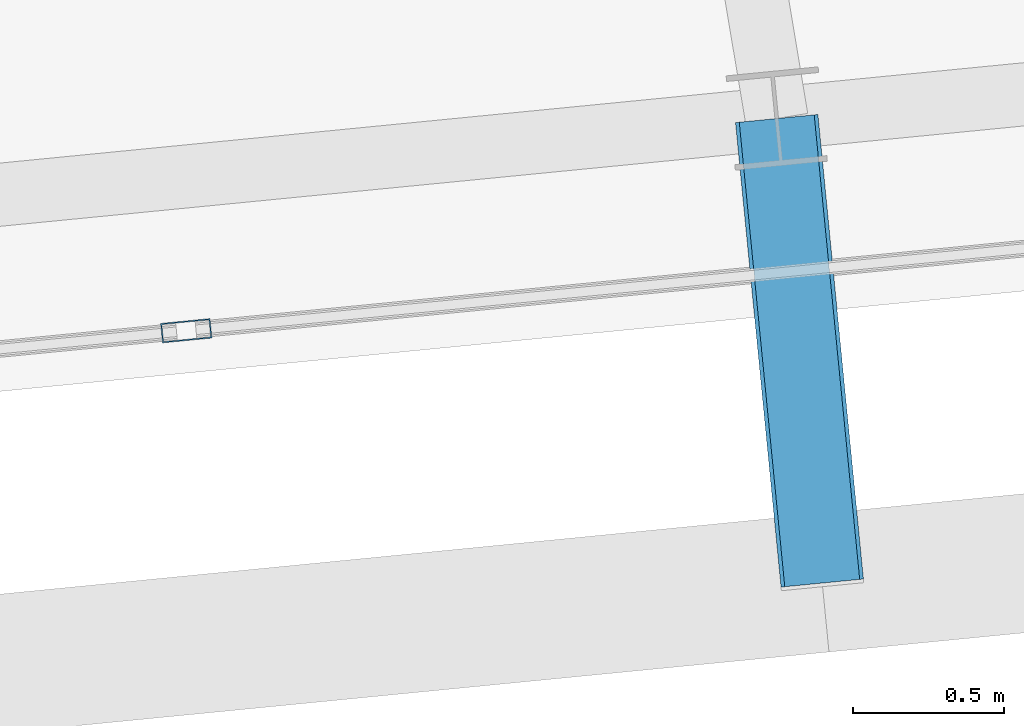
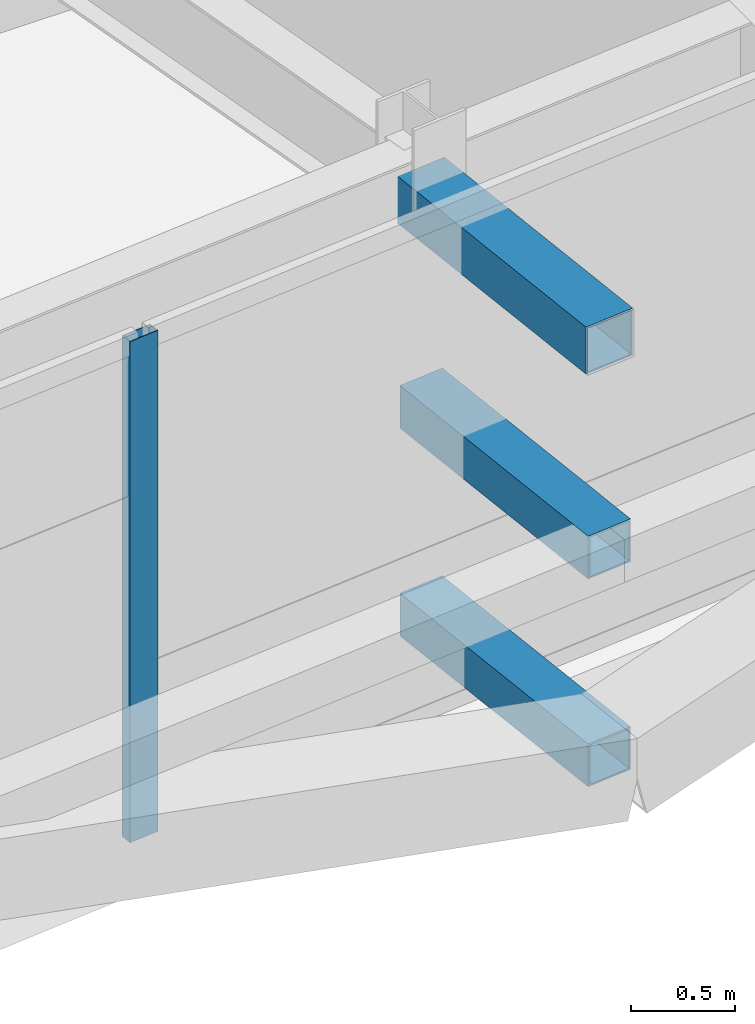
# One storey, part 15 of 47: 4 members, 1 element without a shape of its own.
"""IFC4 building model written with IfcOpenShell, lengths in metres."""

from ifc_helpers import new_model, si_unit, direction, frame, origin, origin_2d, place, context, subcontext, project, spatial, hollow_rectangle, extrude, source, transform, mapped, material, layer, layer_set, material_profile, profile_set, type_object, element, aggregate, save


model = new_model("IFC4")

# Units and contexts
model_context = context("Model", 3, precision=1e-05, world=origin(), true_north=direction((0.0, 1.0)))
body_context = subcontext(model_context, "Body", "Model", "MODEL_VIEW")
ifc_project = project(units=[si_unit("LENGTHUNIT", "METRE"), si_unit("AREAUNIT", "SQUARE_METRE"), si_unit("VOLUMEUNIT", "CUBIC_METRE"), si_unit("PLANEANGLEUNIT", "RADIAN"), si_unit("MASSUNIT", "GRAM", prefix="KILO")], contexts=[model_context])

# Site, building, storey
site_placement = place(None, origin())
site = spatial("IfcSite", under=ifc_project, at=site_placement, CompositionType="ELEMENT")
building_placement = place(site_placement, origin())
building = spatial("IfcBuilding", under=site, at=building_placement, Name="Taldren Reach Tower", CompositionType="ELEMENT")
storey_placement = place(building_placement, frame((0.0, 0.0, 87.14990234375)))
storey = spatial("IfcBuildingStorey", under=building, at=storey_placement, Name="L26", CompositionType="ELEMENT", Elevation=87.14990234375)

# Members
ifc_material_1 = material(Name="Steel Gr 450 (C450L0)", Category="steel")
ifc_material_profile_1 = material_profile(ifc_material_1, hollow_rectangle(XDim=0.27490234375, YDim=0.27490234375, WallThickness=0.00927734375, at=origin_2d()), Name="275x275x9.3SHS")
ifc_profile_set_1 = profile_set([ifc_material_profile_1], Name="Steel Gr 450 (C450L0)")
member_type_1 = type_object("IfcMemberType", Name="MB-TIE273", PredefinedType="STRUT", material=ifc_profile_set_1)
shared_shape_1 = source(origin(), body_context, "Body", "SweptSolid", [
    extrude(hollow_rectangle(XDim=0.27490234375, YDim=0.27490234375, WallThickness=0.00927734375, at=origin_2d()), origin(), (0.0, 0.0, 1.0), 1.5498046875),
])
member_1_placement = place(storey_placement, frame((53.469482421875, 3.698486328125, 2.650146484375), z_axis=(0.097507178627, -0.995234821595, 0.0), x_axis=(0.995234821595, 0.097507178627, 0.0)))
element("IfcMember", 1, at=member_1_placement, inside=storey, type_object=member_type_1, Name="Exoskeleton diaphragm tie strut B2-S5 L26", PredefinedType="STRUT", context=body_context, shape_type="MappedRepresentation", body=[
    mapped(shared_shape_1, transform((0.0, 0.0, 0.0), scale=1.0)),
])
ifc_material_2 = material(Name="Steel Gr 350 (C350L0)", Category="steel")
ifc_material_profile_2 = material_profile(ifc_material_2, hollow_rectangle(XDim=0.25, YDim=0.25, WallThickness=0.010009765625, at=origin_2d()), Name="250x250x10.0SHS")
ifc_profile_set_2 = profile_set([ifc_material_profile_2], Name="Steel Gr 350 (C350L0)")
member_type_2 = type_object("IfcMemberType", Name="MB-POST250", PredefinedType="POST", material=ifc_profile_set_2)
shared_shape_2 = source(origin(), body_context, "Body", "SweptSolid", [
    extrude(hollow_rectangle(XDim=0.25, YDim=0.25, WallThickness=0.010009765625, at=origin_2d()), origin(), (0.0, 0.0, 1.0), 1.5498046875),
])
for number, where, z_axis, x_axis, name in (
    (2, (53.469482421875, 3.698486328125, 0.22021484375), (0.097507178627, -0.995234821595, 0.0), (0.995234821595, 0.097507178627, 0.0), "Exoskeleton base diaphragm tie strut B2-S5 L26"),
    (3, (53.469482421875, 3.698486328125, 1.43505859375), (0.097507178627, -0.995234821595, 0.0), (0.995234821595, 0.097507178627, 0.0), "Exoskeleton mid-tier diaphragm tie B2-S5 L26"),
):
    element("IfcMember", number, at=place(storey_placement, frame(where, z_axis=z_axis, x_axis=x_axis)), inside=storey, type_object=member_type_2, Name=name, PredefinedType="POST", context=body_context, shape_type="MappedRepresentation", body=[
        mapped(shared_shape_2, transform((0.0, 0.0, 0.0), scale=1.0)),
    ])

# Curtain wall, member
ifc_material_3 = material(Name="Aluminium and Low-E Glass Unitised System", Category="aluminium")
ifc_layer = layer(ifc_material_3, 0.159912109375)
ifc_layer_set = layer_set([ifc_layer], Name="Aluminium and Low-E Glass Unitised System")
curtain_wall_type = type_object("IfcCurtainWallType", Name="CW-SYS-3", PredefinedType="NOTDEFINED", material=ifc_layer_set)
curtain_wall_placement = place(storey_placement, origin())
curtain_wall = element("IfcCurtainWall", 4, at=curtain_wall_placement, inside=storey, type_object=curtain_wall_type, Name="Unitised curtain wall CW-L26-S", PredefinedType="NOTDEFINED")
ifc_material_4 = material(Name="Anodised Aluminium 6063-T6", Category="aluminium")
ifc_material_profile_3 = material_profile(ifc_material_4, hollow_rectangle(XDim=0.06494140625, YDim=0.1650390625, WallThickness=0.00390625, at=origin_2d()), Name="ALU-165x65x4RHS")
ifc_profile_set_3 = profile_set([ifc_material_profile_3], Name="Anodised Aluminium 6063-T6")
member_type_3 = type_object("IfcMemberType", Name="CW-MUL-165", PredefinedType="MULLION", material=ifc_profile_set_3)
shared_shape_3 = source(origin(), body_context, "Body", "SweptSolid", [
    extrude(hollow_rectangle(XDim=0.06494140625, YDim=0.1650390625, WallThickness=0.00390625, at=origin_2d()), origin(), (0.0, 0.0, 1.0), 2.93017578125),
])
member_2_placement = place(storey_placement, frame((51.5087890625, 2.993896484375, 0.0), z_axis=(0.0, 0.0, 1.0), x_axis=(-0.097582999046, 0.995227390247, 0.0)))
member_2 = element("IfcMember", 5, at=member_2_placement, type_object=member_type_3, Name="CW-3 mullion 4", PredefinedType="MULLION", context=body_context, shape_type="MappedRepresentation", body=[
    mapped(shared_shape_3, transform((0.0, 0.0, 0.0), scale=1.0)),
])
aggregate(curtain_wall, [member_2])

save(model, "model.ifc")
